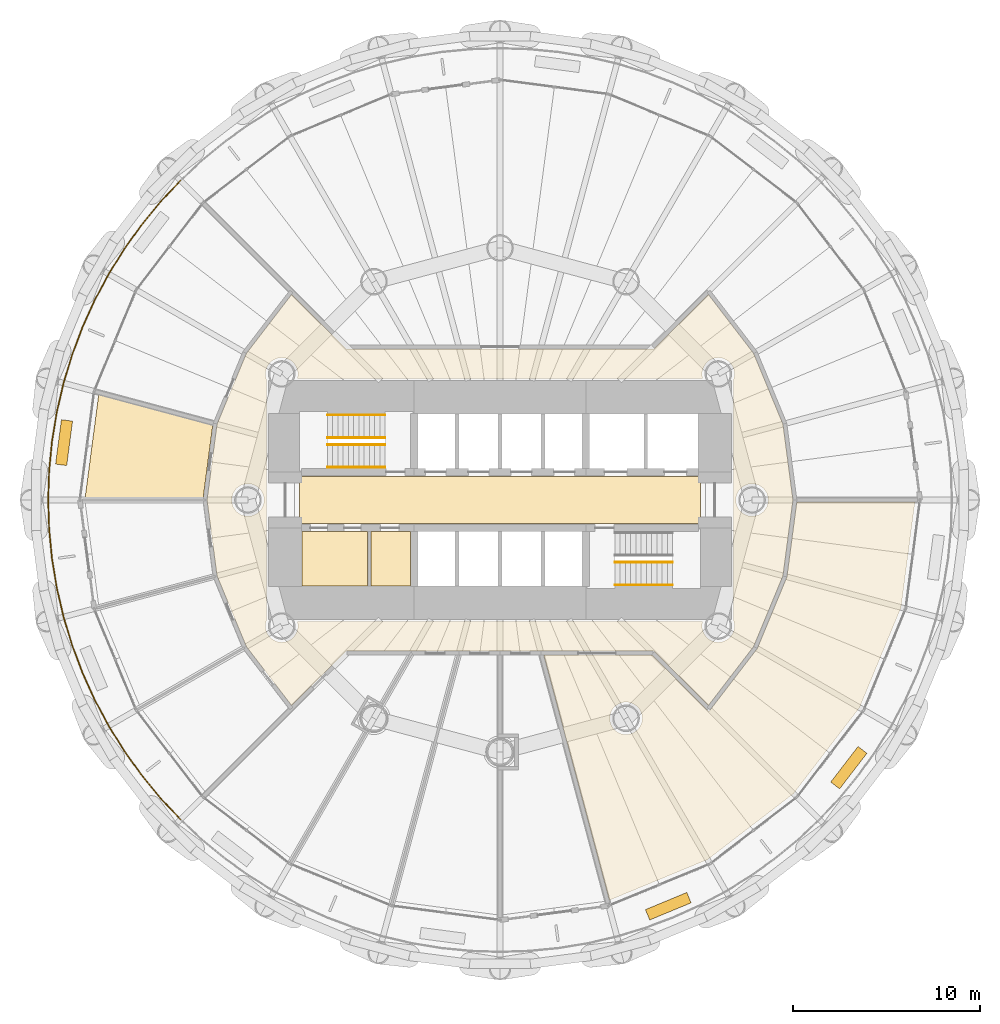
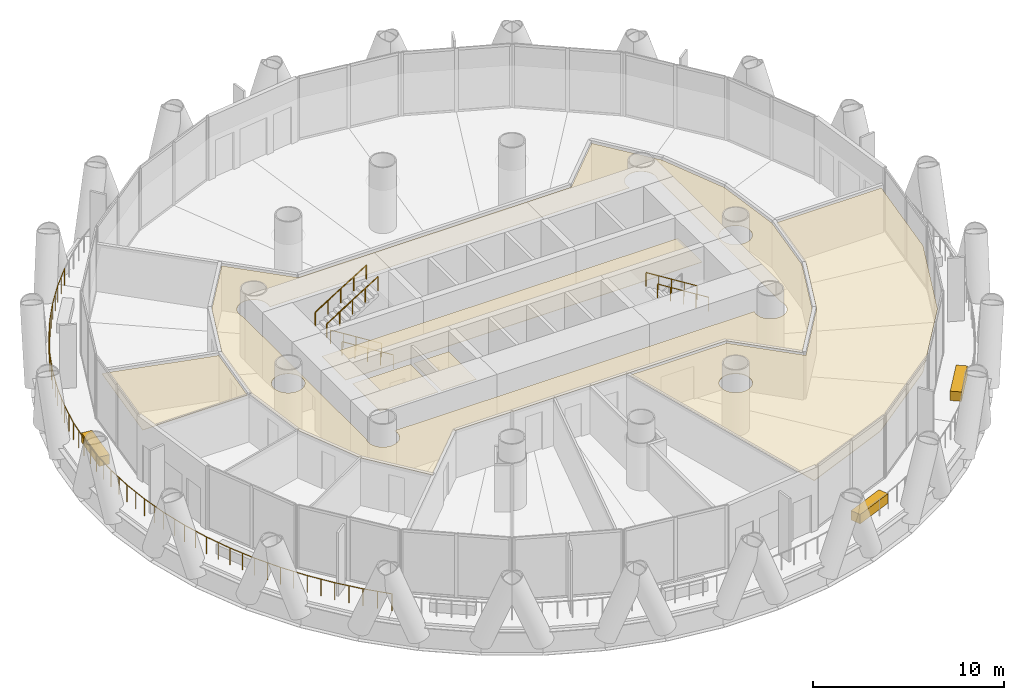
# One storey, part 14 of 16: 9 coverings, 7 railings.
"""IFC4 building model written with IfcOpenShell, lengths in metres."""

from ifc_helpers import new_model, si_unit, direction, frame, origin, origin_2d, place, context, subcontext, project, spatial, polyline, rectangle, circle, outline, extrude, material, layer, layer_set, type_object, element, save


model = new_model("IFC4")

# Units and contexts
model_context = context("Model", 3, precision=1e-05, world=origin(), true_north=direction((0.0, 1.0)))
body_context = subcontext(model_context, "Body", "Model", "MODEL_VIEW")
ifc_project = project(units=[si_unit("LENGTHUNIT", "METRE"), si_unit("AREAUNIT", "SQUARE_METRE"), si_unit("VOLUMEUNIT", "CUBIC_METRE"), si_unit("PLANEANGLEUNIT", "RADIAN"), si_unit("MASSUNIT", "GRAM", prefix="KILO")], contexts=[model_context])

# Site, building, storey
site_placement = place(None, origin())
site = spatial("IfcSite", under=ifc_project, at=site_placement, CompositionType="ELEMENT")
building_placement = place(site_placement, origin())
building = spatial("IfcBuilding", under=site, at=building_placement, Name="Qaws Media Tower", CompositionType="ELEMENT")
storey_placement = place(building_placement, frame((0.0, 0.0, 55.39990234375)))
storey = spatial("IfcBuildingStorey", under=building, at=storey_placement, Name="L11", CompositionType="ELEMENT", Elevation=55.39990234375)

# Covering
ifc_material_1 = material(Name="40 perforated acoustic panels with mineral wool backing, suspended", Category="mineral fibre")
ifc_layer_1 = layer(ifc_material_1, 0.0400390625)
ifc_layer_set_1 = layer_set([ifc_layer_1], Name="Acoustic panel ceiling 40")
covering_type_1 = type_object("IfcCoveringType", Name="Acoustic panel ceiling 40", PredefinedType="CEILING", material=ifc_layer_set_1)
covering_1_placement = place(storey_placement, frame((0.0, 0.0, 2.85009765625)))
element("IfcCovering", 1, at=covering_1_placement, inside=storey, type_object=covering_type_1, Name="CL3 ceiling L11-12 Newsroom", PredefinedType="CEILING", context=body_context, shape_type="SweptSolid", body=[
    extrude(outline(polyline([(81.4775390625, 44.2451171875), (79.25634765625, 38.88232421875), (75.72265625, 34.27734375), (71.11767578125, 30.74365234375), (65.859619140625, 28.56591796875), (62.34375, 41.6875), (68.1533203125, 41.6875), (71.183349609375, 38.657470703125), (73.781494140625, 42.043212890625), (75.37109375, 45.88134765625), (75.898681640625, 49.887451171875), (82.220458984375, 49.887451171875), (81.4775390625, 44.2451171875)]), holes=[polyline([(67.5546875, 37.975341796875), (67.59130859375, 38.083251953125), (67.613525390625, 38.195068359375), (67.62109375, 38.30859375), (67.613525390625, 38.42236328125), (67.59130859375, 38.5341796875), (67.5546875, 38.64208984375), (67.50439453125, 38.744140625), (67.44091796875, 38.8388671875), (67.365966796875, 38.924560546875), (67.2802734375, 38.999755859375), (67.185546875, 39.06298828125), (67.083251953125, 39.11328125), (66.975341796875, 39.14990234375), (66.86376953125, 39.172119140625), (66.75, 39.1796875), (66.63623046875, 39.172119140625), (66.524658203125, 39.14990234375), (66.416748046875, 39.11328125), (66.314453125, 39.06298828125), (66.2197265625, 38.999755859375), (66.134033203125, 38.924560546875), (66.05908203125, 38.8388671875), (65.99560546875, 38.744140625), (65.9453125, 38.64208984375), (65.90869140625, 38.5341796875), (65.886474609375, 38.42236328125), (65.87890625, 38.30859375), (65.886474609375, 38.195068359375), (65.90869140625, 38.083251953125), (65.9453125, 37.975341796875), (65.99560546875, 37.873291015625), (66.05908203125, 37.7783203125), (66.134033203125, 37.69287109375), (66.2197265625, 37.61767578125), (66.314453125, 37.55419921875), (66.416748046875, 37.50390625), (66.524658203125, 37.46728515625), (66.63623046875, 37.445068359375), (66.75, 37.437744140625), (66.86376953125, 37.445068359375), (66.975341796875, 37.46728515625), (67.083251953125, 37.50390625), (67.185546875, 37.55419921875), (67.2802734375, 37.61767578125), (67.365966796875, 37.69287109375), (67.44091796875, 37.7783203125), (67.50439453125, 37.873291015625), (67.5546875, 37.975341796875)])]), origin(), (0.0, 0.0, 1.0), 0.0400390625),
])

# Railing
ifc_material_2 = material(Name="Stainless steel and glass guard", Category="steel")
railing_type_1 = type_object("IfcRailingType", Name="Balcony guard 1100", PredefinedType="GUARDRAIL", material=ifc_material_2)
railing_placement = place(storey_placement, frame((42.887939453125, 67.112060546875, 0.0)))
element("IfcRailing", 2, at=railing_placement, inside=storey, type_object=railing_type_1, Name="GR1 balcony guard L11-2", PredefinedType="GUARDRAIL", context=body_context, shape_type="SweptSolid", body=[
    extrude(circle(Radius=0.02392578125, at=origin_2d()), frame((0.0, 0.0, 1.076171875), z_axis=(-0.683525663397, -0.729926480872, 0.0), x_axis=(0.729926480872, -0.683525663397, 0.0)), (0.0, 0.0, 1.0), 1.583740234375),
    extrude(circle(Radius=0.02392578125, at=origin_2d()), frame((-1.08251953125, -1.156005859375, 1.076171875), z_axis=(-0.634404020343, -0.773001642284, 0.0), x_axis=(0.773001642284, -0.634404020343, 0.0)), (0.0, 0.0, 1.0), 1.58349609375),
    extrude(circle(Radius=0.02392578125, at=origin_2d()), frame((-2.087158203125, -2.380126953125, 1.076171875), z_axis=(-0.582491777819, -0.81283659414, 0.0), x_axis=(0.81283659414, -0.582491777819, 0.0)), (0.0, 0.0, 1.0), 1.58349609375),
    extrude(circle(Radius=0.02392578125, at=origin_2d()), frame((-3.009521484375, -3.667236328125, 1.076171875), z_axis=(-0.528057343706, -0.849208715075, 0.0), x_axis=(0.849208715075, -0.528057343706, 0.0)), (0.0, 0.0, 1.0), 1.58349609375),
    extrude(circle(Radius=0.02392578125, at=origin_2d()), frame((-3.845703125, -5.011962890625, 1.076171875), z_axis=(-0.471404145515, -0.881917304281, 0.0), x_axis=(0.881917304281, -0.471404145515, 0.0)), (0.0, 0.0, 1.0), 1.583740234375),
    extrude(circle(Radius=0.02392578125, at=origin_2d()), frame((-4.59228515625, -6.40869140625, 1.076171875), z_axis=(-0.412722382682, -0.910856868467, 0.0), x_axis=(0.910856868467, -0.412722382682, 0.0)), (0.0, 0.0, 1.0), 1.58349609375),
    extrude(circle(Radius=0.02392578125, at=origin_2d()), frame((-5.245849609375, -7.85107421875, 1.076171875), z_axis=(-0.35225509793, -0.935904026053, 0.0), x_axis=(0.935904026053, -0.35225509793, 0.0)), (0.0, 0.0, 1.0), 1.583740234375),
    extrude(circle(Radius=0.02392578125, at=origin_2d()), frame((-5.8037109375, -9.333251953125, 1.076171875), z_axis=(-0.290302625985, -0.95693489086, 0.0), x_axis=(0.95693489086, -0.290302625985, 0.0)), (0.0, 0.0, 1.0), 1.58349609375),
    extrude(circle(Radius=0.02392578125, at=origin_2d()), frame((-6.263427734375, -10.8486328125, 1.076171875), z_axis=(-0.227088279746, -0.973874177295, 0.0), x_axis=(0.973874177295, -0.227088279746, 0.0)), (0.0, 0.0, 1.0), 1.58349609375),
    extrude(circle(Radius=0.02392578125, at=origin_2d()), frame((-6.623046875, -12.390869140625, 1.076171875), z_axis=(-0.162798782993, -0.986659290868, 0.0), x_axis=(0.986659290868, -0.162798782993, 0.0)), (0.0, 0.0, 1.0), 1.583740234375),
    extrude(circle(Radius=0.02392578125, at=origin_2d()), frame((-6.880859375, -13.953369140625, 1.076171875), z_axis=(-0.098053479386, -0.995181146918, 0.0), x_axis=(0.995181146918, -0.098053479386, 0.0)), (0.0, 0.0, 1.0), 1.58349609375),
    extrude(circle(Radius=0.02392578125, at=origin_2d()), frame((-7.0361328125, -15.529296875, 1.076171875), z_axis=(-0.032683439731, -0.999465753674, 0.0), x_axis=(0.999465753674, -0.032683439731, 0.0)), (0.0, 0.0, 1.0), 1.58349609375),
    extrude(circle(Radius=0.02392578125, at=origin_2d()), frame((-7.087890625, -17.112060546875, 1.076171875), z_axis=(0.032683439731, -0.999465753674, 0.0), x_axis=(0.999465753674, 0.032683439731, 0.0)), (0.0, 0.0, 1.0), 1.58349609375),
    extrude(circle(Radius=0.02392578125, at=origin_2d()), frame((-7.0361328125, -18.69482421875, 1.076171875), z_axis=(0.098053479386, -0.995181146918, 0.0), x_axis=(0.995181146918, 0.098053479386, 0.0)), (0.0, 0.0, 1.0), 1.58349609375),
    extrude(circle(Radius=0.02392578125, at=origin_2d()), frame((-6.880859375, -20.270751953125, 1.076171875), z_axis=(0.162798782993, -0.986659290868, 0.0), x_axis=(0.986659290868, 0.162798782993, 0.0)), (0.0, 0.0, 1.0), 1.583740234375),
    extrude(circle(Radius=0.02392578125, at=origin_2d()), frame((-6.623046875, -21.833251953125, 1.076171875), z_axis=(0.227088279746, -0.973874177295, 0.0), x_axis=(0.973874177295, 0.227088279746, 0.0)), (0.0, 0.0, 1.0), 1.58349609375),
    extrude(circle(Radius=0.02392578125, at=origin_2d()), frame((-6.263427734375, -23.37548828125, 1.076171875), z_axis=(0.290302625985, -0.95693489086, 0.0), x_axis=(0.95693489086, 0.290302625985, 0.0)), (0.0, 0.0, 1.0), 1.58349609375),
    extrude(circle(Radius=0.02392578125, at=origin_2d()), frame((-5.8037109375, -24.890869140625, 1.076171875), z_axis=(0.35225509793, -0.935904026053, 0.0), x_axis=(0.935904026053, 0.35225509793, 0.0)), (0.0, 0.0, 1.0), 1.583740234375),
    extrude(circle(Radius=0.02392578125, at=origin_2d()), frame((-5.245849609375, -26.373046875, 1.076171875), z_axis=(0.412722382682, -0.910856868467, 0.0), x_axis=(0.910856868467, 0.412722382682, 0.0)), (0.0, 0.0, 1.0), 1.58349609375),
    extrude(circle(Radius=0.02392578125, at=origin_2d()), frame((-4.59228515625, -27.8154296875, 1.076171875), z_axis=(0.471404145515, -0.881917304281, 0.0), x_axis=(0.881917304281, 0.471404145515, 0.0)), (0.0, 0.0, 1.0), 1.583740234375),
    extrude(circle(Radius=0.02392578125, at=origin_2d()), frame((-3.845703125, -29.212158203125, 1.076171875), z_axis=(0.528057343706, -0.849208715075, 0.0), x_axis=(0.849208715075, 0.528057343706, 0.0)), (0.0, 0.0, 1.0), 1.58349609375),
    extrude(circle(Radius=0.02392578125, at=origin_2d()), frame((-3.009521484375, -30.556884765625, 1.076171875), z_axis=(0.582491777819, -0.81283659414, 0.0), x_axis=(0.81283659414, 0.582491777819, 0.0)), (0.0, 0.0, 1.0), 1.58349609375),
    extrude(circle(Radius=0.02392578125, at=origin_2d()), frame((-2.087158203125, -31.843994140625, 1.076171875), z_axis=(0.634404020343, -0.773001642284, 0.0), x_axis=(0.773001642284, 0.634404020343, 0.0)), (0.0, 0.0, 1.0), 1.58349609375),
    extrude(circle(Radius=0.02392578125, at=origin_2d()), frame((-1.08251953125, -33.068115234375, 1.076171875), z_axis=(0.683525663397, -0.729926480872, 0.0), x_axis=(0.729926480872, 0.683525663397, 0.0)), (0.0, 0.0, 1.0), 1.583740234375),
    extrude(circle(Radius=0.02099609375, at=origin_2d()), origin(), (0.0, 0.0, 1.0), 1.052001953125),
    extrude(circle(Radius=0.02099609375, at=origin_2d()), frame((-0.541259765625, -0.578125, 0.0)), (0.0, 0.0, 1.0), 1.052001953125),
    extrude(circle(Radius=0.02099609375, at=origin_2d()), frame((-1.08251953125, -1.156005859375, 0.0)), (0.0, 0.0, 1.0), 1.052001953125),
    extrude(circle(Radius=0.02099609375, at=origin_2d()), frame((-1.5849609375, -1.76806640625, 0.0)), (0.0, 0.0, 1.0), 1.052001953125),
    extrude(circle(Radius=0.02099609375, at=origin_2d()), frame((-2.087158203125, -2.380126953125, 0.0)), (0.0, 0.0, 1.0), 1.052001953125),
    extrude(circle(Radius=0.02099609375, at=origin_2d()), frame((-2.54833984375, -3.023681640625, 0.0)), (0.0, 0.0, 1.0), 1.052001953125),
    extrude(circle(Radius=0.02099609375, at=origin_2d()), frame((-3.009521484375, -3.667236328125, 0.0)), (0.0, 0.0, 1.0), 1.052001953125),
    extrude(circle(Radius=0.02099609375, at=origin_2d()), frame((-3.427734375, -4.339599609375, 0.0)), (0.0, 0.0, 1.0), 1.052001953125),
    extrude(circle(Radius=0.02099609375, at=origin_2d()), frame((-3.845703125, -5.011962890625, 0.0)), (0.0, 0.0, 1.0), 1.052001953125),
    extrude(circle(Radius=0.02099609375, at=origin_2d()), frame((-4.218994140625, -5.71044921875, 0.0)), (0.0, 0.0, 1.0), 1.052001953125),
    extrude(circle(Radius=0.02099609375, at=origin_2d()), frame((-4.59228515625, -6.40869140625, 0.0)), (0.0, 0.0, 1.0), 1.052001953125),
    extrude(circle(Radius=0.02099609375, at=origin_2d()), frame((-4.9189453125, -7.1298828125, 0.0)), (0.0, 0.0, 1.0), 1.052001953125),
    extrude(circle(Radius=0.02099609375, at=origin_2d()), frame((-5.245849609375, -7.85107421875, 0.0)), (0.0, 0.0, 1.0), 1.052001953125),
    extrude(circle(Radius=0.02099609375, at=origin_2d()), frame((-5.52490234375, -8.59228515625, 0.0)), (0.0, 0.0, 1.0), 1.052001953125),
    extrude(circle(Radius=0.02099609375, at=origin_2d()), frame((-5.8037109375, -9.333251953125, 0.0)), (0.0, 0.0, 1.0), 1.052001953125),
    extrude(circle(Radius=0.02099609375, at=origin_2d()), frame((-6.03369140625, -10.0908203125, 0.0)), (0.0, 0.0, 1.0), 1.052001953125),
    extrude(circle(Radius=0.02099609375, at=origin_2d()), frame((-6.263427734375, -10.8486328125, 0.0)), (0.0, 0.0, 1.0), 1.052001953125),
    extrude(circle(Radius=0.02099609375, at=origin_2d()), frame((-6.443359375, -11.61962890625, 0.0)), (0.0, 0.0, 1.0), 1.052001953125),
    extrude(circle(Radius=0.02099609375, at=origin_2d()), frame((-6.623046875, -12.390869140625, 0.0)), (0.0, 0.0, 1.0), 1.052001953125),
    extrude(circle(Radius=0.02099609375, at=origin_2d()), frame((-6.751953125, -13.172119140625, 0.0)), (0.0, 0.0, 1.0), 1.052001953125),
    extrude(circle(Radius=0.02099609375, at=origin_2d()), frame((-6.880859375, -13.953369140625, 0.0)), (0.0, 0.0, 1.0), 1.052001953125),
    extrude(circle(Radius=0.02099609375, at=origin_2d()), frame((-6.95849609375, -14.7412109375, 0.0)), (0.0, 0.0, 1.0), 1.052001953125),
    extrude(circle(Radius=0.02099609375, at=origin_2d()), frame((-7.0361328125, -15.529296875, 0.0)), (0.0, 0.0, 1.0), 1.052001953125),
    extrude(circle(Radius=0.02099609375, at=origin_2d()), frame((-7.06201171875, -16.32080078125, 0.0)), (0.0, 0.0, 1.0), 1.052001953125),
    extrude(circle(Radius=0.02099609375, at=origin_2d()), frame((-7.087890625, -17.112060546875, 0.0)), (0.0, 0.0, 1.0), 1.052001953125),
    extrude(circle(Radius=0.02099609375, at=origin_2d()), frame((-7.06201171875, -17.9033203125, 0.0)), (0.0, 0.0, 1.0), 1.052001953125),
    extrude(circle(Radius=0.02099609375, at=origin_2d()), frame((-7.0361328125, -18.69482421875, 0.0)), (0.0, 0.0, 1.0), 1.052001953125),
    extrude(circle(Radius=0.02099609375, at=origin_2d()), frame((-6.95849609375, -19.48291015625, 0.0)), (0.0, 0.0, 1.0), 1.052001953125),
    extrude(circle(Radius=0.02099609375, at=origin_2d()), frame((-6.880859375, -20.270751953125, 0.0)), (0.0, 0.0, 1.0), 1.052001953125),
    extrude(circle(Radius=0.02099609375, at=origin_2d()), frame((-6.751953125, -21.052001953125, 0.0)), (0.0, 0.0, 1.0), 1.052001953125),
    extrude(circle(Radius=0.02099609375, at=origin_2d()), frame((-6.623046875, -21.833251953125, 0.0)), (0.0, 0.0, 1.0), 1.052001953125),
    extrude(circle(Radius=0.02099609375, at=origin_2d()), frame((-6.443359375, -22.6044921875, 0.0)), (0.0, 0.0, 1.0), 1.052001953125),
    extrude(circle(Radius=0.02099609375, at=origin_2d()), frame((-6.263427734375, -23.37548828125, 0.0)), (0.0, 0.0, 1.0), 1.052001953125),
    extrude(circle(Radius=0.02099609375, at=origin_2d()), frame((-6.03369140625, -24.13330078125, 0.0)), (0.0, 0.0, 1.0), 1.052001953125),
    extrude(circle(Radius=0.02099609375, at=origin_2d()), frame((-5.8037109375, -24.890869140625, 0.0)), (0.0, 0.0, 1.0), 1.052001953125),
    extrude(circle(Radius=0.02099609375, at=origin_2d()), frame((-5.52490234375, -25.6318359375, 0.0)), (0.0, 0.0, 1.0), 1.052001953125),
    extrude(circle(Radius=0.02099609375, at=origin_2d()), frame((-5.245849609375, -26.373046875, 0.0)), (0.0, 0.0, 1.0), 1.052001953125),
    extrude(circle(Radius=0.02099609375, at=origin_2d()), frame((-4.9189453125, -27.09423828125, 0.0)), (0.0, 0.0, 1.0), 1.052001953125),
    extrude(circle(Radius=0.02099609375, at=origin_2d()), frame((-4.59228515625, -27.8154296875, 0.0)), (0.0, 0.0, 1.0), 1.052001953125),
    extrude(circle(Radius=0.02099609375, at=origin_2d()), frame((-4.218994140625, -28.513671875, 0.0)), (0.0, 0.0, 1.0), 1.052001953125),
    extrude(circle(Radius=0.02099609375, at=origin_2d()), frame((-3.845703125, -29.212158203125, 0.0)), (0.0, 0.0, 1.0), 1.052001953125),
    extrude(circle(Radius=0.02099609375, at=origin_2d()), frame((-3.427734375, -29.884521484375, 0.0)), (0.0, 0.0, 1.0), 1.052001953125),
    extrude(circle(Radius=0.02099609375, at=origin_2d()), frame((-3.009521484375, -30.556884765625, 0.0)), (0.0, 0.0, 1.0), 1.052001953125),
    extrude(circle(Radius=0.02099609375, at=origin_2d()), frame((-2.54833984375, -31.200439453125, 0.0)), (0.0, 0.0, 1.0), 1.052001953125),
    extrude(circle(Radius=0.02099609375, at=origin_2d()), frame((-2.087158203125, -31.843994140625, 0.0)), (0.0, 0.0, 1.0), 1.052001953125),
    extrude(circle(Radius=0.02099609375, at=origin_2d()), frame((-1.5849609375, -32.4560546875, 0.0)), (0.0, 0.0, 1.0), 1.052001953125),
    extrude(circle(Radius=0.02099609375, at=origin_2d()), frame((-1.08251953125, -33.068115234375, 0.0)), (0.0, 0.0, 1.0), 1.052001953125),
    extrude(circle(Radius=0.02099609375, at=origin_2d()), frame((-0.541259765625, -33.64599609375, 0.0)), (0.0, 0.0, 1.0), 1.052001953125),
    extrude(circle(Radius=0.02099609375, at=origin_2d()), frame((0.0, -34.22412109375, 0.0)), (0.0, 0.0, 1.0), 1.052001953125),
])

# Coverings
ifc_material_3 = material(Name="600 x 600 mineral fibre tiles in exposed grid, suspended", Category="mineral fibre")
ifc_layer_2 = layer(ifc_material_3, 0.02001953125)
ifc_layer_set_2 = layer_set([ifc_layer_2], Name="Mineral fibre tile ceiling 20")
covering_type_2 = type_object("IfcCoveringType", Name="Mineral fibre tile ceiling 20", PredefinedType="CEILING", material=ifc_layer_set_2)
covering_2_placement = place(storey_placement, frame((0.0, 0.0, 2.85009765625)))
element("IfcCovering", 3, at=covering_2_placement, inside=storey, type_object=covering_type_2, Name="CL1 ceiling L11-01 Corridor", PredefinedType="CEILING", context=body_context, shape_type="SweptSolid", body=[
    extrude(outline(polyline([(44.847900390625, 45.93994140625), (44.3134765625, 50.0), (44.847900390625, 54.06005859375), (46.4150390625, 57.84326171875), (48.8388671875, 61.001953125), (51.75341796875, 58.08740234375), (68.24658203125, 58.08740234375), (71.1611328125, 61.001953125), (73.5849609375, 57.84326171875), (75.152099609375, 54.06005859375), (75.6865234375, 50.0), (75.152099609375, 45.93994140625), (73.5849609375, 42.15673828125), (71.1611328125, 38.998046875), (68.24658203125, 41.91259765625), (51.75341796875, 41.91259765625), (48.8388671875, 38.998046875), (46.4150390625, 42.15673828125), (44.847900390625, 45.93994140625)]), holes=[polyline([(49.14599609375, 56.512451171875), (49.14990234375, 56.524658203125), (49.172119140625, 56.63623046875), (49.1796875, 56.75), (49.172119140625, 56.86376953125), (49.14990234375, 56.975341796875), (49.11328125, 57.083251953125), (49.06298828125, 57.185546875), (48.999755859375, 57.2802734375), (48.924560546875, 57.365966796875), (48.8388671875, 57.44091796875), (48.744140625, 57.50439453125), (48.64208984375, 57.5546875), (48.5341796875, 57.59130859375), (48.42236328125, 57.613525390625), (48.30859375, 57.62109375), (48.195068359375, 57.613525390625), (48.083251953125, 57.59130859375), (47.975341796875, 57.5546875), (47.873291015625, 57.50439453125), (47.7783203125, 57.44091796875), (47.69287109375, 57.365966796875), (47.61767578125, 57.2802734375), (47.55419921875, 57.185546875), (47.50390625, 57.083251953125), (47.46728515625, 56.975341796875), (47.445068359375, 56.86376953125), (47.437744140625, 56.75), (47.445068359375, 56.63623046875), (47.46728515625, 56.524658203125), (47.487548828125, 56.465087890625), (47.487548828125, 43.534912109375), (47.46728515625, 43.475341796875), (47.445068359375, 43.36376953125), (47.437744140625, 43.25), (47.445068359375, 43.13623046875), (47.46728515625, 43.024658203125), (47.50390625, 42.916748046875), (47.55419921875, 42.814453125), (47.61767578125, 42.7197265625), (47.69287109375, 42.634033203125), (47.7783203125, 42.55908203125), (47.873291015625, 42.49560546875), (47.975341796875, 42.4453125), (48.083251953125, 42.40869140625), (48.195068359375, 42.386474609375), (48.30859375, 42.37890625), (48.42236328125, 42.386474609375), (48.5341796875, 42.40869140625), (48.64208984375, 42.4453125), (48.744140625, 42.49560546875), (48.8388671875, 42.55908203125), (48.924560546875, 42.634033203125), (48.999755859375, 42.7197265625), (49.06298828125, 42.814453125), (49.11328125, 42.916748046875), (49.14990234375, 43.024658203125), (49.172119140625, 43.13623046875), (49.1796875, 43.25), (49.172119140625, 43.36376953125), (49.14990234375, 43.475341796875), (49.14599609375, 43.487548828125), (70.85400390625, 43.487548828125), (70.85009765625, 43.475341796875), (70.827880859375, 43.36376953125), (70.8203125, 43.25), (70.827880859375, 43.13623046875), (70.85009765625, 43.024658203125), (70.88671875, 42.916748046875), (70.93701171875, 42.814453125), (71.000244140625, 42.7197265625), (71.075439453125, 42.634033203125), (71.1611328125, 42.55908203125), (71.255859375, 42.49560546875), (71.35791015625, 42.4453125), (71.4658203125, 42.40869140625), (71.57763671875, 42.386474609375), (71.69140625, 42.37890625), (71.804931640625, 42.386474609375), (71.916748046875, 42.40869140625), (72.024658203125, 42.4453125), (72.126708984375, 42.49560546875), (72.2216796875, 42.55908203125), (72.30712890625, 42.634033203125), (72.38232421875, 42.7197265625), (72.44580078125, 42.814453125), (72.49609375, 42.916748046875), (72.53271484375, 43.024658203125), (72.554931640625, 43.13623046875), (72.562255859375, 43.25), (72.554931640625, 43.36376953125), (72.53271484375, 43.475341796875), (72.512451171875, 43.534912109375), (72.512451171875, 56.465087890625), (72.53271484375, 56.524658203125), (72.554931640625, 56.63623046875), (72.562255859375, 56.75), (72.554931640625, 56.86376953125), (72.53271484375, 56.975341796875), (72.49609375, 57.083251953125), (72.44580078125, 57.185546875), (72.38232421875, 57.2802734375), (72.30712890625, 57.365966796875), (72.2216796875, 57.44091796875), (72.126708984375, 57.50439453125), (72.024658203125, 57.5546875), (71.916748046875, 57.59130859375), (71.804931640625, 57.613525390625), (71.69140625, 57.62109375), (71.57763671875, 57.613525390625), (71.4658203125, 57.59130859375), (71.35791015625, 57.5546875), (71.255859375, 57.50439453125), (71.1611328125, 57.44091796875), (71.075439453125, 57.365966796875), (71.000244140625, 57.2802734375), (70.93701171875, 57.185546875), (70.88671875, 57.083251953125), (70.85009765625, 56.975341796875), (70.827880859375, 56.86376953125), (70.8203125, 56.75), (70.827880859375, 56.63623046875), (70.85009765625, 56.524658203125), (70.85400390625, 56.512451171875), (49.14599609375, 56.512451171875)]), polyline([(47.3046875, 49.666748046875), (47.34130859375, 49.774658203125), (47.363525390625, 49.88623046875), (47.37109375, 50.0), (47.363525390625, 50.11376953125), (47.34130859375, 50.225341796875), (47.3046875, 50.333251953125), (47.25439453125, 50.435546875), (47.19091796875, 50.5302734375), (47.115966796875, 50.615966796875), (47.0302734375, 50.69091796875), (46.935546875, 50.75439453125), (46.833251953125, 50.8046875), (46.725341796875, 50.84130859375), (46.61376953125, 50.863525390625), (46.5, 50.87109375), (46.38623046875, 50.863525390625), (46.274658203125, 50.84130859375), (46.166748046875, 50.8046875), (46.064453125, 50.75439453125), (45.9697265625, 50.69091796875), (45.884033203125, 50.615966796875), (45.80908203125, 50.5302734375), (45.74560546875, 50.435546875), (45.6953125, 50.333251953125), (45.65869140625, 50.225341796875), (45.636474609375, 50.11376953125), (45.62890625, 50.0), (45.636474609375, 49.88623046875), (45.65869140625, 49.774658203125), (45.6953125, 49.666748046875), (45.74560546875, 49.564453125), (45.80908203125, 49.4697265625), (45.884033203125, 49.384033203125), (45.9697265625, 49.30908203125), (46.064453125, 49.24560546875), (46.166748046875, 49.1953125), (46.274658203125, 49.15869140625), (46.38623046875, 49.136474609375), (46.5, 49.12890625), (46.61376953125, 49.136474609375), (46.725341796875, 49.15869140625), (46.833251953125, 49.1953125), (46.935546875, 49.24560546875), (47.0302734375, 49.30908203125), (47.115966796875, 49.384033203125), (47.19091796875, 49.4697265625), (47.25439453125, 49.564453125), (47.3046875, 49.666748046875)]), polyline([(74.34130859375, 49.774658203125), (74.363525390625, 49.88623046875), (74.37109375, 50.0), (74.363525390625, 50.11376953125), (74.34130859375, 50.225341796875), (74.3046875, 50.333251953125), (74.25439453125, 50.435546875), (74.19091796875, 50.5302734375), (74.115966796875, 50.615966796875), (74.0302734375, 50.69091796875), (73.935546875, 50.75439453125), (73.833251953125, 50.8046875), (73.725341796875, 50.84130859375), (73.61376953125, 50.863525390625), (73.5, 50.87109375), (73.38623046875, 50.863525390625), (73.274658203125, 50.84130859375), (73.166748046875, 50.8046875), (73.064453125, 50.75439453125), (72.9697265625, 50.69091796875), (72.884033203125, 50.615966796875), (72.80908203125, 50.5302734375), (72.74560546875, 50.435546875), (72.6953125, 50.333251953125), (72.65869140625, 50.225341796875), (72.636474609375, 50.11376953125), (72.62890625, 50.0), (72.636474609375, 49.88623046875), (72.65869140625, 49.774658203125), (72.6953125, 49.666748046875), (72.74560546875, 49.564453125), (72.80908203125, 49.4697265625), (72.884033203125, 49.384033203125), (72.9697265625, 49.30908203125), (73.064453125, 49.24560546875), (73.166748046875, 49.1953125), (73.274658203125, 49.15869140625), (73.38623046875, 49.136474609375), (73.5, 49.12890625), (73.61376953125, 49.136474609375), (73.725341796875, 49.15869140625), (73.833251953125, 49.1953125), (73.935546875, 49.24560546875), (74.0302734375, 49.30908203125), (74.115966796875, 49.384033203125), (74.19091796875, 49.4697265625), (74.25439453125, 49.564453125), (74.3046875, 49.666748046875), (74.34130859375, 49.774658203125)])]), origin(), (0.0, 0.0, 1.0), 0.02001953125),
])
covering_3_placement = place(storey_placement, frame((0.0, 0.0, 2.85009765625)))
element("IfcCovering", 4, at=covering_3_placement, inside=storey, type_object=covering_type_2, Name="CL1 ceiling L11-C04 Mothers' room", PredefinedType="CEILING", context=body_context, shape_type="SweptSolid", body=[
    extrude(outline(polyline([(49.39990234375, 45.39990234375), (49.39990234375, 48.300048828125), (52.89990234375, 48.300048828125), (52.89990234375, 45.39990234375), (49.39990234375, 45.39990234375)])), origin(), (0.0, 0.0, 1.0), 0.02001953125),
])
ifc_material_4 = material(Name="Precast concrete planter with trailing planting", Category="concrete")
ifc_layer_3 = layer(ifc_material_4, 0.60009765625)
ifc_layer_set_3 = layer_set([ifc_layer_3], Name="Planter 2400x600")
covering_type_3 = type_object("IfcCoveringType", Name="Planter 2400x600", PredefinedType="USERDEFINED", material=ifc_layer_set_3)
for number, where, z_axis, x_axis, name in (
    (5, (36.6513671875, 53.073974609375, 0.0), (0.0, 0.0, 1.0), (-0.13052619222, -0.991444861374, 0.0), "PL1 balcony planter L11-06"),
    (6, (69.01220703125, 28.24267578125, 0.0), (0.0, 0.0, 1.0), (0.923879532511, 0.382683432365, 0.0), "PL1 balcony planter L11-10"),
    (7, (78.683349609375, 35.66357421875, 0.0), (0.0, 0.0, 1.0), (0.608761429009, 0.793353340291, 0.0), "PL1 balcony planter L11-11"),
):
    element("IfcCovering", number, at=place(storey_placement, frame(where, z_axis=z_axis, x_axis=x_axis)), inside=storey, type_object=covering_type_3, Name=name, ObjectType="PLANTER", PredefinedType="USERDEFINED", context=body_context, shape_type="SweptSolid", body=[
        extrude(rectangle(XDim=2.39990234375, YDim=0.60009765625, at=origin_2d()), origin(), (0.0, 0.0, 1.0), 0.60009765625),
    ])
ifc_material_5 = material(Name="Two layers 12.5 moisture-resistant plasterboard on suspended metal furring", Category="gypsum")
ifc_layer_4 = layer(ifc_material_5, 0.02490234375)
ifc_layer_set_4 = layer_set([ifc_layer_4], Name="Plasterboard ceiling 25")
covering_type_4 = type_object("IfcCoveringType", Name="Plasterboard ceiling 25", PredefinedType="CEILING", material=ifc_layer_set_4)
covering_4_placement = place(storey_placement, frame((0.0, 0.0, 2.85009765625)))
element("IfcCovering", 8, at=covering_4_placement, inside=storey, type_object=covering_type_4, Name="CL2 ceiling L11-C01 Lift lobby", PredefinedType="CEILING", context=body_context, shape_type="SweptSolid", body=[
    extrude(outline(polyline([(49.25, 48.75), (49.25, 51.25), (70.75, 51.25), (70.75, 48.75), (49.25, 48.75)])), origin(), (0.0, 0.0, 1.0), 0.02490234375),
])
covering_5_placement = place(storey_placement, frame((0.0, 0.0, 2.85009765625)))
element("IfcCovering", 9, at=covering_5_placement, inside=storey, type_object=covering_type_4, Name="CL2 ceiling L11-04 Editor's office", PredefinedType="CEILING", context=body_context, shape_type="SweptSolid", body=[
    extrude(outline(polyline([(38.507568359375, 55.642333984375), (44.614013671875, 54.006103515625), (44.101318359375, 50.112548828125), (37.779541015625, 50.112548828125), (38.507568359375, 55.642333984375)])), origin(), (0.0, 0.0, 1.0), 0.02490234375),
])
covering_6_placement = place(storey_placement, frame((0.0, 0.0, 2.85009765625)))
element("IfcCovering", 10, at=covering_6_placement, inside=storey, type_object=covering_type_4, Name="CL2 ceiling L11-C05 Accessible WC", PredefinedType="CEILING", context=body_context, shape_type="SweptSolid", body=[
    extrude(outline(polyline([(53.10009765625, 45.39990234375), (53.10009765625, 48.300048828125), (55.199951171875, 48.300048828125), (55.199951171875, 45.39990234375), (53.10009765625, 45.39990234375)])), origin(), (0.0, 0.0, 1.0), 0.02490234375),
])

# Railings
ifc_material_6 = material(Name="Steel tube handrail", Category="steel")
railing_type_2 = type_object("IfcRailingType", Name="Stair handrail 900", PredefinedType="HANDRAIL", material=ifc_material_6)
for number, where, name in (
    (11, (53.840087890625, 51.75, 0.175048828125), "HR1 handrail S1 flight 1 L11"),
    (12, (53.840087890625, 52.9599609375, 0.175048828125), "HR1 handrail S1 flight 1 L11"),
):
    element("IfcRailing", number, at=place(storey_placement, frame(where)), inside=storey, type_object=railing_type_2, Name=name, PredefinedType="HANDRAIL", context=body_context, shape_type="SweptSolid", body=[
        extrude(circle(Radius=0.02392578125, at=origin_2d()), frame((0.0, 0.0, 0.8759765625), z_axis=(-0.847998304005, 0.0, 0.529998940003), x_axis=(0.0, -1.0, 0.0)), (0.0, 0.0, 1.0), 3.632080078125),
        extrude(circle(Radius=0.02099609375, at=origin_2d()), origin(), (0.0, 0.0, 1.0), 0.851806640625),
        extrude(circle(Radius=0.02099609375, at=origin_2d()), frame((-0.77001953125, 0.0, 0.481201171875)), (0.0, 0.0, 1.0), 0.851806640625),
        extrude(circle(Radius=0.02099609375, at=origin_2d()), frame((-1.5400390625, 0.0, 0.96240234375)), (0.0, 0.0, 1.0), 0.851806640625),
        extrude(circle(Radius=0.02099609375, at=origin_2d()), frame((-2.31005859375, 0.0, 1.44384765625)), (0.0, 0.0, 1.0), 0.851806640625),
        extrude(circle(Radius=0.02099609375, at=origin_2d()), frame((-3.080078125, 0.0, 1.925048828125)), (0.0, 0.0, 1.0), 0.851806640625),
    ])
for number, where, name in (
    (13, (50.760009765625, 54.550048828125, 2.275146484375), "HR1 handrail S1 flight 2 L11"),
    (14, (50.760009765625, 53.340087890625, 2.275146484375), "HR1 handrail S1 flight 2 L11"),
):
    element("IfcRailing", number, at=place(storey_placement, frame(where)), inside=storey, type_object=railing_type_2, Name=name, PredefinedType="HANDRAIL", context=body_context, shape_type="SweptSolid", body=[
        extrude(circle(Radius=0.02392578125, at=origin_2d()), frame((0.0, 0.0, 0.8759765625), z_axis=(0.847998304005, 0.0, 0.529998940003), x_axis=(0.0, 1.0, 0.0)), (0.0, 0.0, 1.0), 3.632080078125),
        extrude(circle(Radius=0.02099609375, at=origin_2d()), origin(), (0.0, 0.0, 1.0), 0.851806640625),
        extrude(circle(Radius=0.02099609375, at=origin_2d()), frame((0.77001953125, 0.0, 0.481201171875)), (0.0, 0.0, 1.0), 0.851806640625),
        extrude(circle(Radius=0.02099609375, at=origin_2d()), frame((1.5400390625, 0.0, 0.96240234375)), (0.0, 0.0, 1.0), 0.851806640625),
        extrude(circle(Radius=0.02099609375, at=origin_2d()), frame((2.31005859375, 0.0, 1.44384765625)), (0.0, 0.0, 1.0), 0.851806640625),
        extrude(circle(Radius=0.02099609375, at=origin_2d()), frame((3.080078125, 0.0, 1.925048828125)), (0.0, 0.0, 1.0), 0.851806640625),
    ])
for number, where, name in (
    (15, (69.239990234375, 45.449951171875, 2.275146484375), "HR1 handrail S2 flight 2 L11"),
    (16, (69.239990234375, 46.659912109375, 2.275146484375), "HR1 handrail S2 flight 2 L11"),
):
    element("IfcRailing", number, at=place(storey_placement, frame(where)), inside=storey, type_object=railing_type_2, Name=name, PredefinedType="HANDRAIL", context=body_context, shape_type="SweptSolid", body=[
        extrude(circle(Radius=0.02392578125, at=origin_2d()), frame((0.0, 0.0, 0.8759765625), z_axis=(-0.847998304005, 0.0, 0.529998940003), x_axis=(0.0, -1.0, 0.0)), (0.0, 0.0, 1.0), 3.632080078125),
        extrude(circle(Radius=0.02099609375, at=origin_2d()), origin(), (0.0, 0.0, 1.0), 0.851806640625),
        extrude(circle(Radius=0.02099609375, at=origin_2d()), frame((-0.77001953125, 0.0, 0.481201171875)), (0.0, 0.0, 1.0), 0.851806640625),
        extrude(circle(Radius=0.02099609375, at=origin_2d()), frame((-1.5400390625, 0.0, 0.96240234375)), (0.0, 0.0, 1.0), 0.851806640625),
        extrude(circle(Radius=0.02099609375, at=origin_2d()), frame((-2.31005859375, 0.0, 1.44384765625)), (0.0, 0.0, 1.0), 0.851806640625),
        extrude(circle(Radius=0.02099609375, at=origin_2d()), frame((-3.080078125, 0.0, 1.925048828125)), (0.0, 0.0, 1.0), 0.851806640625),
    ])

save(model, "model.ifc")
